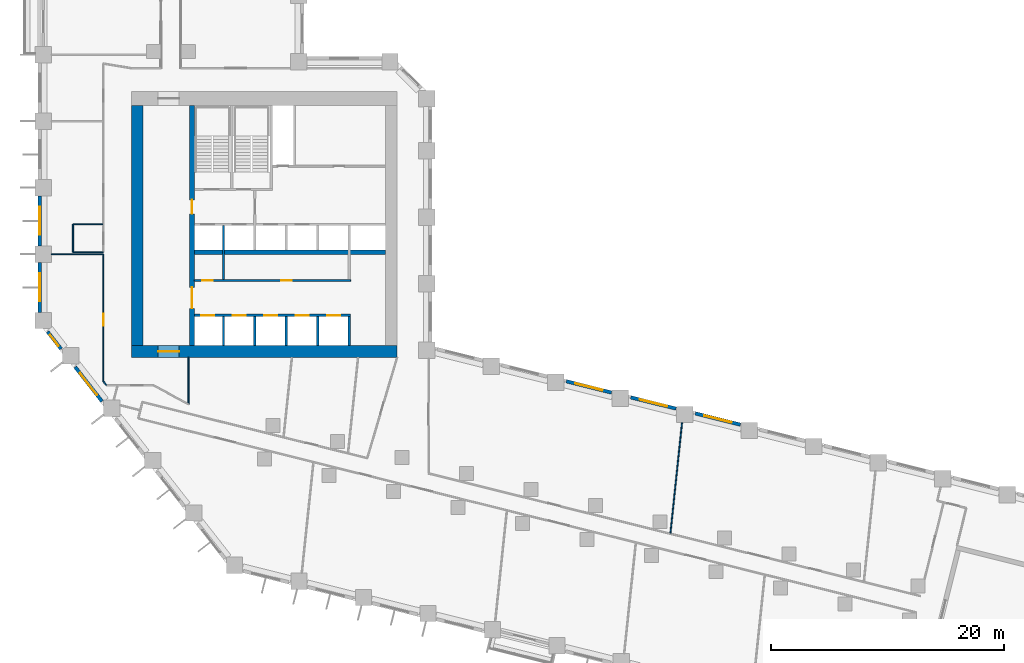
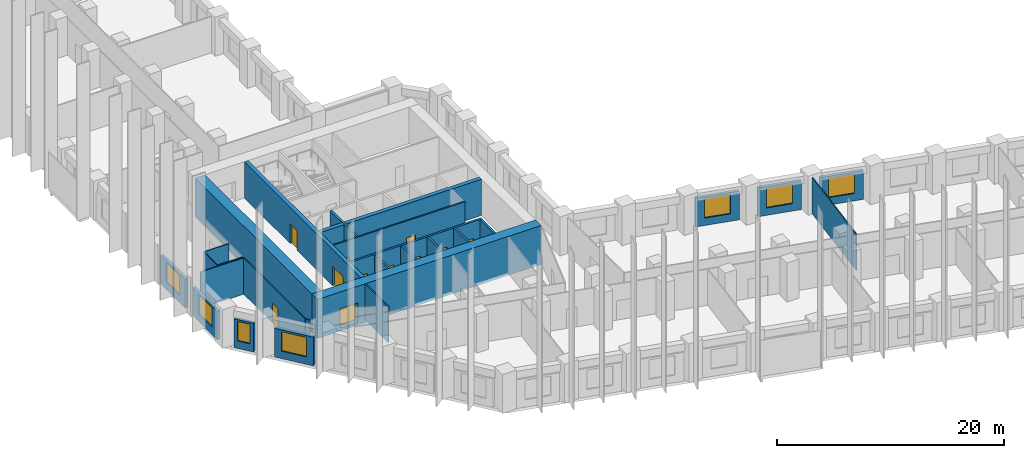
# One storey, part 4 of 11: 27 walls, 11 doors, 7 windows, 18 openings.
"""IFC4 building model written with IfcOpenShell, lengths in metres."""

import ifcopenshell
import ifcopenshell.guid

model = None  # the IFC model being written
_history = None  # IfcOwnerHistory: only IFC2X3 demands one
_inside = {}  # id of a spatial element -> (the spatial element, [elements in it])
_under = {}  # id of a project, library or spatial element -> (it, [spatial elements below it])
_declared = {}  # id of a project -> (the project, [libraries it declares])
_typed = {}  # id of a type object -> (the type object, [elements of that type])
_made_of = {}  # id of a material, layer set ... -> (it, [elements and type objects made of it])


def new_model(schema):
    """Start an empty IFC model of exactly this schema.

    Asked for "IFC4X3", IfcOpenShell would pick the latest addendum, in which some entities
    have other attributes; the version numbers below select the first issue.
    IFC2X3 requires an IfcOwnerHistory on every rooted entity: one is made here for all.
    """
    global model, _history
    if schema == "IFC4X3":
        model = ifcopenshell.file(schema_version=(4, 3, 0, 0))
    else:
        model = ifcopenshell.file(schema=schema)
    _inside.clear()
    _under.clear()
    _declared.clear()
    _typed.clear()
    _made_of.clear()
    _history = None
    if model.schema == "IFC2X3":
        org = make("IfcOrganization", Name="unknown")
        user = make(
            "IfcPersonAndOrganization",
            ThePerson=make("IfcPerson", FamilyName="unknown"),
            TheOrganization=org,
        )
        app = make(
            "IfcApplication",
            ApplicationDeveloper=org,
            Version="unknown",
            ApplicationFullName="unknown",
            ApplicationIdentifier="unknown",
        )
        _history = make(
            "IfcOwnerHistory",
            OwningUser=user,
            OwningApplication=app,
            ChangeAction="ADDED",
            CreationDate=0,
        )
    return model


def make(cls, **values):
    """One entity of the class cls with the attributes given. An attribute that is None is left unset."""
    return model.create_entity(
        cls, **{name: value for name, value in values.items() if value is not None}
    )


def rooted(cls, **values):
    """An entity with a GlobalId (a new one), such as an element, a storey or a relation."""
    return make(cls, GlobalId=ifcopenshell.guid.new(), OwnerHistory=_history, **values)


def si_unit(unit_type, name, prefix=None):
    """IfcSIUnit, for example si_unit("LENGTHUNIT", "METRE", prefix="MILLI")."""
    return make("IfcSIUnit", UnitType=unit_type, Prefix=prefix, Name=name)


def assignment(units):
    """IfcUnitAssignment: the units of a project."""
    return None if units is None else make("IfcUnitAssignment", Units=units)


def point(xyz):
    """IfcCartesianPoint."""
    return None if xyz is None else make("IfcCartesianPoint", Coordinates=xyz)


def direction(xyz):
    """IfcDirection."""
    return None if xyz is None else make("IfcDirection", DirectionRatios=xyz)


def frame(location, z_axis=None, x_axis=None):
    """IfcAxis2Placement3D, a coordinate frame: its origin and axes. An axis left out is left unset."""
    return make(
        "IfcAxis2Placement3D",
        Location=point(location),
        Axis=direction(z_axis),
        RefDirection=direction(x_axis),
    )


def frame_2d(location, x_axis=None):
    """IfcAxis2Placement2D, a coordinate frame in the plane: its origin and x axis."""
    return make(
        "IfcAxis2Placement2D", Location=point(location), RefDirection=direction(x_axis)
    )


def origin():
    """The frame at (0, 0, 0) with its axes left unset."""
    return frame((0.0, 0.0, 0.0))


def place(relative_to, where):
    """IfcLocalPlacement: puts the frame where relative to a parent placement (None: the world)."""
    return make(
        "IfcLocalPlacement", PlacementRelTo=relative_to, RelativePlacement=where
    )


def context(
    kind, dimensions, precision=None, world=None, true_north=None, identifier=None
):
    """IfcGeometricRepresentationContext, for example the 3D "Model" context."""
    return make(
        "IfcGeometricRepresentationContext",
        ContextIdentifier=identifier,
        ContextType=kind,
        CoordinateSpaceDimension=dimensions,
        Precision=precision,
        WorldCoordinateSystem=world,
        TrueNorth=true_north,
    )


def subcontext(parent, identifier, kind, view, scale=None):
    """IfcGeometricRepresentationSubContext, for example "Body" below "Model"."""
    return make(
        "IfcGeometricRepresentationSubContext",
        ContextIdentifier=identifier,
        ContextType=kind,
        ParentContext=parent,
        TargetScale=scale,
        TargetView=view,
    )


def project(units=None, contexts=None):
    """IfcProject with its units and contexts."""
    return rooted(
        "IfcProject",
        Name="project",
        RepresentationContexts=contexts,
        UnitsInContext=assignment(units),
    )


def spatial(cls, under=None, at=None, **own):
    """A site, building, storey or space (cls), placed at a placement, below another one or the project."""
    s = rooted(cls, ObjectPlacement=at, **own)
    if under is not None:
        _under.setdefault(under.id(), (under, []))[1].append(s)
    return s


def profile(cls, at=None, kind="AREA", **sizes):
    """A parametric profile (cls). Its sizes go by their IFC names, for example OverallWidth=200.0."""
    return make(cls, ProfileType=kind, Position=at, **sizes)


def rectangle(**sizes):
    """IfcRectangleProfileDef."""
    return profile("IfcRectangleProfileDef", **sizes)


def extrude(swept, where, along, depth):
    """IfcExtrudedAreaSolid: the profile swept, set in the frame where, extruded along a direction by depth."""
    return make(
        "IfcExtrudedAreaSolid",
        SweptArea=swept,
        Position=where,
        ExtrudedDirection=direction(along),
        Depth=depth,
    )


def shape(context_of_items, identifier, shape_type, items):
    """IfcShapeRepresentation: the items that make up one representation, for example the "Body"."""
    return make(
        "IfcShapeRepresentation",
        ContextOfItems=context_of_items,
        RepresentationIdentifier=identifier,
        RepresentationType=shape_type,
        Items=items,
    )


def material(Name=None, Category=None):
    """IfcMaterial."""
    return make("IfcMaterial", Name=Name, Category=Category)


def layer(
    of_material, thickness, ventilated=None, Name=None, Category=None, Priority=None
):
    """IfcMaterialLayer: one layer of a wall or slab, of a material (None: an air gap)."""
    return make(
        "IfcMaterialLayer",
        Material=of_material,
        LayerThickness=thickness,
        IsVentilated=ventilated,
        Name=Name,
        Category=Category,
        Priority=Priority,
    )


def layer_set(layers, Name=None):
    """IfcMaterialLayerSet."""
    return make("IfcMaterialLayerSet", MaterialLayers=layers, LayerSetName=Name)


def made_of(thing, what):
    """Note that an element or type object is made of a material, layer set ...; save() writes the relation."""
    if what is not None:
        _made_of.setdefault(what.id(), (what, []))[1].append(thing)
    return thing


def type_object(cls, material=None, **own):
    """A type object (cls), such as IfcWallType, which elements share."""
    return made_of(rooted(cls, **own), material)


def element(
    cls,
    number,
    at=None,
    inside=None,
    cuts=None,
    type_object=None,
    material=None,
    context=None,
    identifier="Body",
    shape_type=None,
    held_by="IfcProductDefinitionShape",
    body=None,
    shapes=None,
    **own,
):
    """One element of the class cls, such as IfcWall. Its Tag is "e" and its number.

    at: its placement. inside: the storey or other place that contains it. cuts: it is an
    opening in that element (IfcRelVoidsElement). A single representation is given by context,
    identifier, shape_type and body (its items); several are given by shapes. held_by: the class
    of the entity that holds the representations. save() writes the other relations.
    """
    e = rooted(cls, Tag="e%d" % number, ObjectPlacement=at, **own)
    if body is not None:
        shapes = [shape(context, identifier, shape_type, body)]
    if shapes is not None:
        e.Representation = make(held_by, Representations=shapes)
    if inside is not None:
        _inside.setdefault(inside.id(), (inside, []))[1].append(e)
    if cuts is not None:
        rooted(
            "IfcRelVoidsElement", RelatingBuildingElement=cuts, RelatedOpeningElement=e
        )
    if type_object is not None:
        _typed.setdefault(type_object.id(), (type_object, []))[1].append(e)
    return made_of(e, material)


def fill(opening, filler):
    """IfcRelFillsElement: the door or window that sits in an opening."""
    return rooted(
        "IfcRelFillsElement",
        RelatingOpeningElement=opening,
        RelatedBuildingElement=filler,
    )


def aggregate(whole, parts):
    """IfcRelAggregates: a whole, such as a stair, and the parts it consists of."""
    return rooted("IfcRelAggregates", RelatingObject=whole, RelatedObjects=parts)


def save(model, path):
    """Write the relations noted so far, then the file.

    IfcRelAggregates (storeys below a building ...), IfcRelContainedInSpatialStructure (elements
    in a storey), IfcRelDefinesByType, IfcRelAssociatesMaterial and IfcRelDeclares: one each for
    every whole, place, type object, material and project.
    """
    for whole, parts in _under.values():
        aggregate(whole, parts)
    for where, things in _inside.values():
        rooted(
            "IfcRelContainedInSpatialStructure",
            RelatedElements=things,
            RelatingStructure=where,
        )
    for kind, things in _typed.values():
        rooted("IfcRelDefinesByType", RelatedObjects=things, RelatingType=kind)
    for what, things in _made_of.values():
        rooted("IfcRelAssociatesMaterial", RelatedObjects=things, RelatingMaterial=what)
    for by, libraries in _declared.values():
        rooted("IfcRelDeclares", RelatingContext=by, RelatedDefinitions=libraries)
    model.write(path)


model = new_model("IFC4")

# Units and contexts
model_context = context("Model", 3, precision=1e-05, world=origin(), true_north=direction((0.0, 1.0)))
body_context = subcontext(model_context, "Body", "Model", "MODEL_VIEW")
ifc_project = project(units=[si_unit("LENGTHUNIT", "METRE"), si_unit("AREAUNIT", "SQUARE_METRE"), si_unit("VOLUMEUNIT", "CUBIC_METRE"), si_unit("PLANEANGLEUNIT", "RADIAN"), si_unit("MASSUNIT", "GRAM", prefix="KILO")], contexts=[model_context])

# Site, building, storey
site_placement = place(None, origin())
site = spatial("IfcSite", under=ifc_project, at=site_placement, CompositionType="ELEMENT")
building_placement = place(site_placement, origin())
building = spatial("IfcBuilding", under=site, at=building_placement, Name="Meshkara Civic Tower", CompositionType="ELEMENT")
storey_placement = place(building_placement, frame((0.0, 0.0, 49.800048828125)))
storey = spatial("IfcBuildingStorey", under=building, at=storey_placement, Name="L10", CompositionType="ELEMENT", Elevation=49.800048828125)

# Wall, openings, doors
ifc_material_1 = material(Name="Blockwork", Category="masonry")
ifc_layer_1 = layer(ifc_material_1, 0.14990234375)
ifc_layer_set_1 = layer_set([ifc_layer_1], Name="Core partition 150")
wall_type_1 = type_object("IfcWallType", Name="Core partition 150", PredefinedType="PARTITIONING", material=ifc_layer_set_1)
wall_1_placement = place(storey_placement, frame((13.39990234375, 20.699951171875, 0.0), z_axis=(0.0, 0.0, 1.0), x_axis=(1.0, 0.0, 0.0)))
wall_1 = element("IfcWall", 1, at=wall_1_placement, inside=storey, type_object=wall_type_1, Name="L10-C006", PredefinedType="PARTITIONING", context=body_context, shape_type="SweptSolid", body=[
    extrude(rectangle(XDim=13.400146484375, YDim=0.14990234375, at=frame_2d((6.7001953125, 0.0))), origin(), (0.0, 0.0, 1.0), 3.89990234375),
])
opening_1_placement = place(wall_1_placement, frame((0.699951171875, 0.0, 0.0)))
opening_1 = element("IfcOpeningElement", 2, at=opening_1_placement, cuts=wall_1, Name="Opening L10-K010", PredefinedType="OPENING", context=body_context, shape_type="SweptSolid", body=[
    extrude(rectangle(XDim=0.89990234375, YDim=2.10009765625, at=frame_2d((0.449951171875, 1.050048828125))), frame((0.0, 0.0849609375, 0.0), z_axis=(0.0, -1.0, 0.0), x_axis=(1.0, 0.0, 0.0)), (0.0, 0.0, 1.0), 0.169921875),
])
opening_2_placement = place(wall_1_placement, frame((7.449951171875, 0.0, 0.0)))
opening_2 = element("IfcOpeningElement", 3, at=opening_2_placement, cuts=wall_1, Name="Opening L10-K011", PredefinedType="OPENING", context=body_context, shape_type="SweptSolid", body=[
    extrude(rectangle(XDim=0.89990234375, YDim=2.10009765625, at=frame_2d((0.449951171875, 1.050048828125))), frame((0.0, 0.0849609375, 0.0), z_axis=(0.0, -1.0, 0.0), x_axis=(1.0, 0.0, 0.0)), (0.0, 0.0, 1.0), 0.169921875),
])
ifc_material_2 = material(Name="Timber door leaf in steel frame", Category="steel")
door_type_1 = type_object("IfcDoorType", Name="Core room door 900", OperationType="SINGLE_SWING_LEFT", PredefinedType="DOOR", material=ifc_material_2)
door_1_placement = place(opening_1_placement, origin())
door_1 = element("IfcDoor", 4, at=door_1_placement, inside=storey, type_object=door_type_1, Name="L10-K010", OperationType="SINGLE_SWING_RIGHT", OverallHeight=2.10009765625, OverallWidth=0.89990234375, PredefinedType="DOOR", context=body_context, shape_type="SweptSolid", body=[
    extrude(rectangle(XDim=0.89990234375, YDim=2.10009765625, at=frame_2d((0.449951171875, 1.050048828125))), frame((0.0, 0.02490234375, 0.0), z_axis=(0.0, -1.0, 0.0), x_axis=(1.0, 0.0, 0.0)), (0.0, 0.0, 1.0), 0.050048828125),
])
fill(opening_1, door_1)
door_2_placement = place(opening_2_placement, origin())
door_2 = element("IfcDoor", 5, at=door_2_placement, inside=storey, type_object=door_type_1, Name="L10-K011", OperationType="SINGLE_SWING_LEFT", OverallHeight=2.10009765625, OverallWidth=0.89990234375, PredefinedType="DOOR", context=body_context, shape_type="SweptSolid", body=[
    extrude(rectangle(XDim=0.89990234375, YDim=2.10009765625, at=frame_2d((0.449951171875, 1.050048828125))), frame((0.0, 0.02490234375, 0.0), z_axis=(0.0, -1.0, 0.0), x_axis=(1.0, 0.0, 0.0)), (0.0, 0.0, 1.0), 0.050048828125),
])
fill(opening_2, door_2)

# Wall, opening, door
ifc_material_3 = material(Name="Concrete C80", Category="concrete")
ifc_layer_2 = layer(ifc_material_3, 1.0)
ifc_layer_set_2 = layer_set([ifc_layer_2], Name="Core ring wall 1000 C80")
wall_type_2 = type_object("IfcWallType", Name="Core ring wall 1000 C80", PredefinedType="SHEAR", material=ifc_layer_set_2)
wall_2_placement = place(storey_placement, frame((8.0, 14.60009765625, -0.300048828125), z_axis=(0.0, 0.0, 1.0), x_axis=(1.0, 0.0, 0.0)))
wall_2 = element("IfcWall", 6, at=wall_2_placement, inside=storey, type_object=wall_type_2, Name="L10-C001", PredefinedType="SHEAR", context=body_context, shape_type="SweptSolid", body=[
    extrude(rectangle(XDim=22.800048828125, YDim=1.0, at=frame_2d((11.39990234375, 0.0))), origin(), (0.0, 0.0, 1.0), 4.199951171875),
])
opening_3_placement = place(wall_2_placement, frame((2.300048828125, 0.0, 0.300048828125)))
opening_3 = element("IfcOpeningElement", 7, at=opening_3_placement, cuts=wall_2, Name="Opening L10-K020", PredefinedType="OPENING", context=body_context, shape_type="SweptSolid", body=[
    extrude(rectangle(XDim=1.800048828125, YDim=2.10009765625, at=frame_2d((0.89990234375, 1.050048828125))), frame((0.0, 0.510009765625, 0.0), z_axis=(0.0, -1.0, 0.0), x_axis=(1.0, 0.0, 0.0)), (0.0, 0.0, 1.0), 1.02001953125),
])
ifc_material_4 = material(Name="Fire-rated door leaf in steel frame", Category="steel")
door_type_2 = type_object("IfcDoorType", Name="Core double door 1800 EI 60", OperationType="DOUBLE_DOOR_SINGLE_SWING", PredefinedType="DOOR", material=ifc_material_4)
door_3_placement = place(opening_3_placement, origin())
door_3 = element("IfcDoor", 8, at=door_3_placement, inside=storey, type_object=door_type_2, Name="L10-K020", OperationType="DOUBLE_DOOR_SINGLE_SWING", OverallHeight=2.10009765625, OverallWidth=1.800048828125, PredefinedType="DOOR", context=body_context, shape_type="SweptSolid", body=[
    extrude(rectangle(XDim=1.800048828125, YDim=2.10009765625, at=frame_2d((0.89990234375, 1.050048828125))), frame((0.0, 0.02490234375, 0.0), z_axis=(0.0, -1.0, 0.0), x_axis=(1.0, 0.0, 0.0)), (0.0, 0.0, 1.0), 0.050048828125),
])
fill(opening_3, door_3)

# Walls
wall_3_placement = place(storey_placement, frame((8.5, 15.10009765625, -0.300048828125), z_axis=(0.0, 0.0, 1.0), x_axis=(0.0, 1.0, 0.0)))
element("IfcWall", 9, at=wall_3_placement, inside=storey, type_object=wall_type_2, Name="L10-C003", PredefinedType="SHEAR", context=body_context, shape_type="SweptSolid", body=[
    extrude(rectangle(XDim=20.599853515625, YDim=1.0, at=frame_2d((10.2998046875, 0.0))), origin(), (0.0, 0.0, 1.0), 4.199951171875),
])
ifc_material_5 = material(Name="Concrete C80", Category="concrete")
ifc_layer_3 = layer(ifc_material_5, 0.39990234375)
ifc_layer_set_3 = layer_set([ifc_layer_3], Name="Core shear wall 400 C80")
wall_type_3 = type_object("IfcWallType", Name="Core shear wall 400 C80", PredefinedType="SHEAR", material=ifc_layer_set_3)
wall_4_placement = place(storey_placement, frame((13.39990234375, 23.10009765625, 0.0), z_axis=(0.0, 0.0, 1.0), x_axis=(1.0, 0.0, 0.0)))
element("IfcWall", 10, at=wall_4_placement, inside=storey, type_object=wall_type_3, Name="L10-C007", PredefinedType="SHEAR", context=body_context, shape_type="SweptSolid", body=[
    extrude(rectangle(XDim=16.400146484375, YDim=0.39990234375, at=frame_2d((8.2001953125, 0.0))), origin(), (0.0, 0.0, 1.0), 3.89990234375),
])

# Wall, openings, doors
wall_5_placement = place(storey_placement, frame((13.199951171875, 15.10009765625, 0.0), z_axis=(0.0, 0.0, 1.0), x_axis=(0.0, 1.0, 0.0)))
wall_5 = element("IfcWall", 11, at=wall_5_placement, inside=storey, type_object=wall_type_3, Name="L10-C011", PredefinedType="SHEAR", context=body_context, shape_type="SweptSolid", body=[
    extrude(rectangle(XDim=20.599853515625, YDim=0.39990234375, at=frame_2d((10.2998046875, 0.0))), origin(), (0.0, 0.0, 1.0), 3.89990234375),
])
opening_4_placement = place(wall_5_placement, frame((3.199951171875, 0.0, 0.0)))
opening_4 = element("IfcOpeningElement", 12, at=opening_4_placement, cuts=wall_5, Name="Opening L10-K016", PredefinedType="OPENING", context=body_context, shape_type="SweptSolid", body=[
    extrude(rectangle(XDim=1.800048828125, YDim=2.10009765625, at=frame_2d((0.89990234375, 1.050048828125))), frame((0.0, 0.2099609375, 0.0), z_axis=(0.0, -1.0, 0.0), x_axis=(1.0, 0.0, 0.0)), (0.0, 0.0, 1.0), 0.419921875),
])
opening_5_placement = place(wall_5_placement, frame((11.300048828125, 0.0, 0.0)))
opening_5 = element("IfcOpeningElement", 13, at=opening_5_placement, cuts=wall_5, Name="Opening L10-K017", PredefinedType="OPENING", context=body_context, shape_type="SweptSolid", body=[
    extrude(rectangle(XDim=1.199951171875, YDim=2.10009765625, at=frame_2d((0.60009765625, 1.050048828125))), frame((0.0, 0.2099609375, 0.0), z_axis=(0.0, -1.0, 0.0), x_axis=(1.0, 0.0, 0.0)), (0.0, 0.0, 1.0), 0.419921875),
])
door_4_placement = place(opening_4_placement, origin())
door_4 = element("IfcDoor", 14, at=door_4_placement, inside=storey, type_object=door_type_2, Name="L10-K016", OperationType="DOUBLE_DOOR_SINGLE_SWING", OverallHeight=2.10009765625, OverallWidth=1.800048828125, PredefinedType="DOOR", context=body_context, shape_type="SweptSolid", body=[
    extrude(rectangle(XDim=1.800048828125, YDim=2.10009765625, at=frame_2d((0.89990234375, 1.050048828125))), frame((0.0, 0.02490234375, 0.0), z_axis=(0.0, -1.0, 0.0), x_axis=(1.0, 0.0, 0.0)), (0.0, 0.0, 1.0), 0.050048828125),
])
fill(opening_4, door_4)
ifc_material_6 = material(Name="Fire-rated door leaf in steel frame", Category="steel")
door_type_3 = type_object("IfcDoorType", Name="Fire-fighting lobby door 1200 EI 120", OperationType="SINGLE_SWING_LEFT", PredefinedType="DOOR", material=ifc_material_6)
door_5_placement = place(opening_5_placement, origin())
door_5 = element("IfcDoor", 15, at=door_5_placement, inside=storey, type_object=door_type_3, Name="L10-K017", OperationType="SINGLE_SWING_LEFT", OverallHeight=2.10009765625, OverallWidth=1.199951171875, PredefinedType="DOOR", context=body_context, shape_type="SweptSolid", body=[
    extrude(rectangle(XDim=1.199951171875, YDim=2.10009765625, at=frame_2d((0.60009765625, 1.050048828125))), frame((0.0, 0.02490234375, 0.0), z_axis=(0.0, -1.0, 0.0), x_axis=(1.0, 0.0, 0.0)), (0.0, 0.0, 1.0), 0.050048828125),
])
fill(opening_5, door_5)

# Wall
ifc_material_7 = material(Name="Corridor wall 100")
ifc_layer_4 = layer(ifc_material_7, 0.10009765625)
ifc_layer_set_4 = layer_set([ifc_layer_4], Name="Corridor wall 100")
wall_type_4 = type_object("IfcWallType", Name="Corridor wall 100", PredefinedType="PARTITIONING", material=ifc_layer_set_4)
wall_6_placement = place(storey_placement, frame((5.60009765625, 12.04296875, 0.0), z_axis=(0.0, 0.0, 1.0), x_axis=(0.615415398102, -0.788202948344, 0.0)))
element("IfcWall", 16, at=wall_6_placement, inside=storey, type_object=wall_type_4, Name="L10-W003", PredefinedType="PARTITIONING", context=body_context, shape_type="SweptSolid", body=[
    extrude(rectangle(XDim=0.435302734375, YDim=0.10009765625, at=frame_2d((0.2177734375, 0.0))), origin(), (0.0, 0.0, 1.0), 3.89990234375),
])

# Wall, opening, door
wall_7_placement = place(storey_placement, frame((5.60009765625, 22.955078125, 0.0), z_axis=(0.0, 0.0, 1.0), x_axis=(0.0, -1.0, 0.0)))
wall_7 = element("IfcWall", 17, at=wall_7_placement, inside=storey, type_object=wall_type_4, Name="L10-W004", PredefinedType="PARTITIONING", context=body_context, shape_type="SweptSolid", body=[
    extrude(rectangle(XDim=10.912109375, YDim=0.10009765625, at=frame_2d((5.4560546875, 0.0))), origin(), (0.0, 0.0, 1.0), 3.89990234375),
])
opening_6_placement = place(wall_7_placement, frame((5.132080078125, 0.0, 0.0)))
opening_6 = element("IfcOpeningElement", 18, at=opening_6_placement, cuts=wall_7, Name="Opening L10-D017", PredefinedType="OPENING", context=body_context, shape_type="SweptSolid", body=[
    extrude(rectangle(XDim=1.0, YDim=2.10009765625, at=frame_2d((0.5, 1.050048828125))), frame((0.0, 0.06005859375, 0.0), z_axis=(0.0, -1.0, 0.0), x_axis=(1.0, 0.0, 0.0)), (0.0, 0.0, 1.0), 0.1201171875),
])
ifc_material_8 = material(Name="Door 1000 x 2100")
door_type_4 = type_object("IfcDoorType", Name="Door 1000 x 2100", OperationType="SINGLE_SWING_LEFT", PredefinedType="DOOR", material=ifc_material_8)
door_6_placement = place(opening_6_placement, origin())
door_6 = element("IfcDoor", 19, at=door_6_placement, inside=storey, type_object=door_type_4, Name="L10-D017", OperationType="SINGLE_SWING_LEFT", OverallHeight=2.10009765625, OverallWidth=1.0, PredefinedType="DOOR", context=body_context, shape_type="SweptSolid", body=[
    extrude(rectangle(XDim=1.0, YDim=2.10009765625, at=frame_2d((0.5, 1.050048828125))), frame((0.0, 0.02490234375, 0.0), z_axis=(0.0, -1.0, 0.0), x_axis=(1.0, 0.0, 0.0)), (0.0, 0.0, 1.0), 0.050048828125),
])
fill(opening_6, door_6)

# Wall
wall_8_placement = place(storey_placement, frame((12.89990234375, 10.077880859375, 0.0), z_axis=(0.0, 0.0, 1.0), x_axis=(0.0, 1.0, 0.0)))
element("IfcWall", 20, at=wall_8_placement, inside=storey, type_object=wall_type_4, Name="L10-W016", PredefinedType="PARTITIONING", context=body_context, shape_type="SweptSolid", body=[
    extrude(rectangle(XDim=4.022216796875, YDim=0.10009765625, at=frame_2d((2.01123046875, 0.0))), origin(), (0.0, 0.0, 1.0), 3.89990234375),
])

# Wall, opening, window
ifc_material_9 = material(Name="Insulated infill panel with bronze anodised aluminium cladding", Category="aluminium")
ifc_layer_5 = layer(ifc_material_9, 0.300048828125)
ifc_layer_set_5 = layer_set([ifc_layer_5], Name="EXTERNAL INFILL WALL 300")
wall_type_5 = type_object("IfcWallType", Name="EXTERNAL INFILL WALL 300", PredefinedType="SOLIDWALL", material=ifc_layer_set_5)
wall_9_placement = place(storey_placement, frame((60.251953125, 8.321044921875, 0.0), z_axis=(0.0, 0.0, 1.0), x_axis=(-0.970303772127, 0.241889623168, 0.0)))
wall_9 = element("IfcWall", 21, at=wall_9_placement, inside=storey, type_object=wall_type_5, Name="External wall", PredefinedType="SOLIDWALL", context=body_context, shape_type="SweptSolid", body=[
    extrude(rectangle(XDim=4.001953125, YDim=0.300048828125, at=frame_2d((2.0009765625, 0.0))), origin(), (0.0, 0.0, 1.0), 3.099853515625),
])
opening_7_placement = place(wall_9_placement, frame((0.801025390625, 0.0, 0.800048828125)))
opening_7 = element("IfcOpeningElement", 22, at=opening_7_placement, cuts=wall_9, Name="Opening W7", PredefinedType="OPENING", context=body_context, shape_type="SweptSolid", body=[
    extrude(rectangle(XDim=2.39990234375, YDim=2.10009765625, at=frame_2d((1.199951171875, 1.050048828125))), frame((0.0, 0.159912109375, 0.0), z_axis=(0.0, -1.0, 0.0), x_axis=(1.0, 0.0, 0.0)), (0.0, 0.0, 1.0), 0.320068359375),
])
ifc_material_10 = material(Name="Tinted double glazing", Category="glass")
window_type_1 = type_object("IfcWindowType", Name="WINDOW 2400x2100", PartitioningType="DOUBLE_PANEL_VERTICAL", PredefinedType="WINDOW", material=ifc_material_10)
window_1_placement = place(opening_7_placement, origin())
window_1 = element("IfcWindow", 23, at=window_1_placement, inside=storey, type_object=window_type_1, Name="Window", OverallHeight=2.10009765625, OverallWidth=2.39990234375, PartitioningType="DOUBLE_PANEL_VERTICAL", PredefinedType="WINDOW", context=body_context, shape_type="SweptSolid", body=[
    extrude(rectangle(XDim=2.39990234375, YDim=2.10009765625, at=frame_2d((1.199951171875, 1.050048828125))), frame((0.0, 0.030029296875, 0.0), z_axis=(0.0, -1.0, 0.0), x_axis=(1.0, 0.0, 0.0)), (0.0, 0.0, 1.0), 0.06005859375),
])
fill(opening_7, window_1)

wall_10_placement = place(storey_placement, frame((54.721923828125, 9.699951171875, 0.0), z_axis=(0.0, 0.0, 1.0), x_axis=(-0.970318045095, 0.24183236211, 0.0)))
wall_10 = element("IfcWall", 24, at=wall_10_placement, inside=storey, type_object=wall_type_5, Name="External wall", PredefinedType="SOLIDWALL", context=body_context, shape_type="SweptSolid", body=[
    extrude(rectangle(XDim=4.0029296875, YDim=0.300048828125, at=frame_2d((2.00146484375, 0.0))), origin(), (0.0, 0.0, 1.0), 3.099853515625),
])
opening_8_placement = place(wall_10_placement, frame((0.802001953125, 0.0, 0.800048828125)))
opening_8 = element("IfcOpeningElement", 25, at=opening_8_placement, cuts=wall_10, Name="Opening W7", PredefinedType="OPENING", context=body_context, shape_type="SweptSolid", body=[
    extrude(rectangle(XDim=2.39990234375, YDim=2.10009765625, at=frame_2d((1.199951171875, 1.050048828125))), frame((0.0, 0.159912109375, 0.0), z_axis=(0.0, -1.0, 0.0), x_axis=(1.0, 0.0, 0.0)), (0.0, 0.0, 1.0), 0.320068359375),
])
window_2_placement = place(opening_8_placement, origin())
window_2 = element("IfcWindow", 26, at=window_2_placement, inside=storey, type_object=window_type_1, Name="Window", OverallHeight=2.10009765625, OverallWidth=2.39990234375, PartitioningType="DOUBLE_PANEL_VERTICAL", PredefinedType="WINDOW", context=body_context, shape_type="SweptSolid", body=[
    extrude(rectangle(XDim=2.39990234375, YDim=2.10009765625, at=frame_2d((1.199951171875, 1.050048828125))), frame((0.0, 0.030029296875, 0.0), z_axis=(0.0, -1.0, 0.0), x_axis=(1.0, 0.0, 0.0)), (0.0, 0.0, 1.0), 0.06005859375),
])
fill(opening_8, window_2)

wall_11_placement = place(storey_placement, frame((49.19091796875, 11.0791015625, 0.0), z_axis=(0.0, 0.0, 1.0), x_axis=(-0.970318045095, 0.24183236211, 0.0)))
wall_11 = element("IfcWall", 27, at=wall_11_placement, inside=storey, type_object=wall_type_5, Name="External wall", PredefinedType="SOLIDWALL", context=body_context, shape_type="SweptSolid", body=[
    extrude(rectangle(XDim=4.0029296875, YDim=0.300048828125, at=frame_2d((2.00146484375, 0.0))), origin(), (0.0, 0.0, 1.0), 3.099853515625),
])
opening_9_placement = place(wall_11_placement, frame((0.802001953125, 0.0, 0.800048828125)))
opening_9 = element("IfcOpeningElement", 28, at=opening_9_placement, cuts=wall_11, Name="Opening W7", PredefinedType="OPENING", context=body_context, shape_type="SweptSolid", body=[
    extrude(rectangle(XDim=2.39990234375, YDim=2.10009765625, at=frame_2d((1.199951171875, 1.050048828125))), frame((0.0, 0.159912109375, 0.0), z_axis=(0.0, -1.0, 0.0), x_axis=(1.0, 0.0, 0.0)), (0.0, 0.0, 1.0), 0.320068359375),
])
window_3_placement = place(opening_9_placement, origin())
window_3 = element("IfcWindow", 29, at=window_3_placement, inside=storey, type_object=window_type_1, Name="Window", OverallHeight=2.10009765625, OverallWidth=2.39990234375, PartitioningType="DOUBLE_PANEL_VERTICAL", PredefinedType="WINDOW", context=body_context, shape_type="SweptSolid", body=[
    extrude(rectangle(XDim=2.39990234375, YDim=2.10009765625, at=frame_2d((1.199951171875, 1.050048828125))), frame((0.0, 0.030029296875, 0.0), z_axis=(0.0, -1.0, 0.0), x_axis=(1.0, 0.0, 0.0)), (0.0, 0.0, 1.0), 0.06005859375),
])
fill(opening_9, window_3)

wall_12_placement = place(storey_placement, frame((0.14990234375, 27.955078125, 0.0), z_axis=(0.0, 0.0, 1.0), x_axis=(0.0, -1.0, 0.0)))
wall_12 = element("IfcWall", 30, at=wall_12_placement, inside=storey, type_object=wall_type_5, Name="External wall", PredefinedType="SOLIDWALL", context=body_context, shape_type="SweptSolid", body=[
    extrude(rectangle(XDim=4.300048828125, YDim=0.300048828125, at=frame_2d((2.14990234375, 0.0))), origin(), (0.0, 0.0, 1.0), 3.099853515625),
])
opening_10_placement = place(wall_12_placement, frame((0.949951171875, 0.0, 0.800048828125)))
opening_10 = element("IfcOpeningElement", 31, at=opening_10_placement, cuts=wall_12, Name="Opening W7", PredefinedType="OPENING", context=body_context, shape_type="SweptSolid", body=[
    extrude(rectangle(XDim=2.39990234375, YDim=2.10009765625, at=frame_2d((1.199951171875, 1.050048828125))), frame((0.0, 0.159912109375, 0.0), z_axis=(0.0, -1.0, 0.0), x_axis=(1.0, 0.0, 0.0)), (0.0, 0.0, 1.0), 0.320068359375),
])
window_4_placement = place(opening_10_placement, origin())
window_4 = element("IfcWindow", 32, at=window_4_placement, inside=storey, type_object=window_type_1, Name="Window", OverallHeight=2.10009765625, OverallWidth=2.39990234375, PartitioningType="DOUBLE_PANEL_VERTICAL", PredefinedType="WINDOW", context=body_context, shape_type="SweptSolid", body=[
    extrude(rectangle(XDim=2.39990234375, YDim=2.10009765625, at=frame_2d((1.199951171875, 1.050048828125))), frame((0.0, 0.030029296875, 0.0), z_axis=(0.0, -1.0, 0.0), x_axis=(1.0, 0.0, 0.0)), (0.0, 0.0, 1.0), 0.06005859375),
])
fill(opening_10, window_4)

wall_13_placement = place(storey_placement, frame((0.14990234375, 22.2548828125, 0.0), z_axis=(0.0, 0.0, 1.0), x_axis=(0.0, -1.0, 0.0)))
wall_13 = element("IfcWall", 33, at=wall_13_placement, inside=storey, type_object=wall_type_5, Name="External wall", PredefinedType="SOLIDWALL", context=body_context, shape_type="SweptSolid", body=[
    extrude(rectangle(XDim=4.2998046875, YDim=0.300048828125, at=frame_2d((2.14990234375, 0.0))), origin(), (0.0, 0.0, 1.0), 3.099853515625),
])
opening_11_placement = place(wall_13_placement, frame((0.949951171875, 0.0, 0.800048828125)))
opening_11 = element("IfcOpeningElement", 34, at=opening_11_placement, cuts=wall_13, Name="Opening W7", PredefinedType="OPENING", context=body_context, shape_type="SweptSolid", body=[
    extrude(rectangle(XDim=2.39990234375, YDim=2.10009765625, at=frame_2d((1.199951171875, 1.050048828125))), frame((0.0, 0.159912109375, 0.0), z_axis=(0.0, -1.0, 0.0), x_axis=(1.0, 0.0, 0.0)), (0.0, 0.0, 1.0), 0.320068359375),
])
window_5_placement = place(opening_11_placement, origin())
window_5 = element("IfcWindow", 35, at=window_5_placement, inside=storey, type_object=window_type_1, Name="Window", OverallHeight=2.10009765625, OverallWidth=2.39990234375, PartitioningType="DOUBLE_PANEL_VERTICAL", PredefinedType="WINDOW", context=body_context, shape_type="SweptSolid", body=[
    extrude(rectangle(XDim=2.39990234375, YDim=2.10009765625, at=frame_2d((1.199951171875, 1.050048828125))), frame((0.0, 0.030029296875, 0.0), z_axis=(0.0, -1.0, 0.0), x_axis=(1.0, 0.0, 0.0)), (0.0, 0.0, 1.0), 0.06005859375),
])
fill(opening_11, window_5)

wall_14_placement = place(storey_placement, frame((0.818115234375, 16.2958984375, 0.0), z_axis=(0.0, 0.0, 1.0), x_axis=(0.615985155343, -0.787757759973, 0.0)))
wall_14 = element("IfcWall", 36, at=wall_14_placement, inside=storey, type_object=wall_type_5, Name="External wall", PredefinedType="SOLIDWALL", context=body_context, shape_type="SweptSolid", body=[
    extrude(rectangle(XDim=1.874755859375, YDim=0.300048828125, at=frame_2d((0.9375, 0.0))), origin(), (0.0, 0.0, 1.0), 3.099853515625),
])
opening_12_placement = place(wall_14_placement, frame((0.3369140625, 0.0, 0.800048828125)))
opening_12 = element("IfcOpeningElement", 37, at=opening_12_placement, cuts=wall_14, Name="Opening W3", PredefinedType="OPENING", context=body_context, shape_type="SweptSolid", body=[
    extrude(rectangle(XDim=1.199951171875, YDim=2.10009765625, at=frame_2d((0.60009765625, 1.050048828125))), frame((0.0, 0.159912109375, 0.0), z_axis=(0.0, -1.0, 0.0), x_axis=(1.0, 0.0, 0.0)), (0.0, 0.0, 1.0), 0.320068359375),
])
ifc_material_11 = material(Name="Tinted double glazing", Category="glass")
window_type_2 = type_object("IfcWindowType", Name="WINDOW 1200x2100", PartitioningType="SINGLE_PANEL", PredefinedType="WINDOW", material=ifc_material_11)
window_6_placement = place(opening_12_placement, origin())
window_6 = element("IfcWindow", 38, at=window_6_placement, inside=storey, type_object=window_type_2, Name="Window", OverallHeight=2.10009765625, OverallWidth=1.199951171875, PartitioningType="SINGLE_PANEL", PredefinedType="WINDOW", context=body_context, shape_type="SweptSolid", body=[
    extrude(rectangle(XDim=1.199951171875, YDim=2.10009765625, at=frame_2d((0.60009765625, 1.050048828125))), frame((0.0, 0.030029296875, 0.0), z_axis=(0.0, -1.0, 0.0), x_axis=(1.0, 0.0, 0.0)), (0.0, 0.0, 1.0), 0.06005859375),
])
fill(opening_12, window_6)

wall_15_placement = place(storey_placement, frame((3.18310546875, 13.27001953125, 0.0), z_axis=(0.0, 0.0, 1.0), x_axis=(0.615564114897, -0.788086810225, 0.0)))
wall_15 = element("IfcWall", 39, at=wall_15_placement, inside=storey, type_object=wall_type_5, Name="External wall", PredefinedType="SOLIDWALL", context=body_context, shape_type="SweptSolid", body=[
    extrude(rectangle(XDim=3.734619140625, YDim=0.300048828125, at=frame_2d((1.8671875, 0.0))), origin(), (0.0, 0.0, 1.0), 3.099853515625),
])
opening_13_placement = place(wall_15_placement, frame((0.6669921875, 0.0, 0.800048828125)))
opening_13 = element("IfcOpeningElement", 40, at=opening_13_placement, cuts=wall_15, Name="Opening W7", PredefinedType="OPENING", context=body_context, shape_type="SweptSolid", body=[
    extrude(rectangle(XDim=2.39990234375, YDim=2.10009765625, at=frame_2d((1.199951171875, 1.050048828125))), frame((0.0, 0.159912109375, 0.0), z_axis=(0.0, -1.0, 0.0), x_axis=(1.0, 0.0, 0.0)), (0.0, 0.0, 1.0), 0.320068359375),
])
window_7_placement = place(opening_13_placement, origin())
window_7 = element("IfcWindow", 41, at=window_7_placement, inside=storey, type_object=window_type_1, Name="Window", OverallHeight=2.10009765625, OverallWidth=2.39990234375, PartitioningType="DOUBLE_PANEL_VERTICAL", PredefinedType="WINDOW", context=body_context, shape_type="SweptSolid", body=[
    extrude(rectangle(XDim=2.39990234375, YDim=2.10009765625, at=frame_2d((1.199951171875, 1.050048828125))), frame((0.0, 0.030029296875, 0.0), z_axis=(0.0, -1.0, 0.0), x_axis=(1.0, 0.0, 0.0)), (0.0, 0.0, 1.0), 0.06005859375),
])
fill(opening_13, window_7)

# Walls
ifc_material_12 = material(Name="Partition 100")
ifc_layer_6 = layer(ifc_material_12, 0.10009765625)
ifc_layer_set_6 = layer_set([ifc_layer_6], Name="Partition 100")
wall_type_6 = type_object("IfcWallType", Name="Partition 100", PredefinedType="PARTITIONING", material=ifc_layer_set_6)
wall_16_placement = place(storey_placement, frame((3.0, 23.10498046875, 0.0), z_axis=(0.0, 0.0, 1.0), x_axis=(0.0, 1.0, 0.0)))
element("IfcWall", 42, at=wall_16_placement, inside=storey, type_object=wall_type_6, Name="L10-W033", PredefinedType="PARTITIONING", context=body_context, shape_type="SweptSolid", body=[
    extrude(rectangle(XDim=2.39990234375, YDim=0.10009765625, at=frame_2d((1.199951171875, 0.0))), origin(), (0.0, 0.0, 1.0), 3.89990234375),
])
wall_17_placement = place(storey_placement, frame((3.0, 25.5048828125, 0.0), z_axis=(0.0, 0.0, 1.0), x_axis=(1.0, 0.0, 0.0)))
element("IfcWall", 43, at=wall_17_placement, inside=storey, type_object=wall_type_6, Name="L10-W034", PredefinedType="PARTITIONING", context=body_context, shape_type="SweptSolid", body=[
    extrude(rectangle(XDim=2.550048828125, YDim=0.10009765625, at=frame_2d((1.27490234375, 0.0))), origin(), (0.0, 0.0, 1.0), 3.89990234375),
])
wall_18_placement = place(storey_placement, frame((5.60009765625, 22.955078125, 0.0), z_axis=(0.0, 0.0, 1.0), x_axis=(-1.0, 0.0, 0.0)))
element("IfcWall", 44, at=wall_18_placement, inside=storey, type_object=wall_type_6, Name="L10-W036", PredefinedType="PARTITIONING", context=body_context, shape_type="SweptSolid", body=[
    extrude(rectangle(XDim=4.4501953125, YDim=0.10009765625, at=frame_2d((2.22509765625, 0.0))), origin(), (0.0, 0.0, 1.0), 3.89990234375),
])
wall_19_placement = place(storey_placement, frame((5.60009765625, 23.10498046875, 0.0), z_axis=(0.0, 0.0, 1.0), x_axis=(-1.0, 0.0, 0.0)))
element("IfcWall", 45, at=wall_19_placement, inside=storey, type_object=wall_type_6, Name="L10-W037", PredefinedType="PARTITIONING", context=body_context, shape_type="SweptSolid", body=[
    extrude(rectangle(XDim=2.60009765625, YDim=0.10009765625, at=frame_2d((1.300048828125, 0.0))), origin(), (0.0, 0.0, 1.0), 3.89990234375),
])
wall_20_placement = place(storey_placement, frame((54.242919921875, -0.971923828125, 0.0), z_axis=(0.0, 0.0, 1.0), x_axis=(0.104452670861, 0.994529858551, 0.0)))
element("IfcWall", 46, at=wall_20_placement, inside=storey, type_object=wall_type_6, Name="L10-W050", PredefinedType="PARTITIONING", context=body_context, shape_type="SweptSolid", body=[
    extrude(rectangle(XDim=9.52685546875, YDim=0.10009765625, at=frame_2d((4.763427734375, 0.0))), origin(), (0.0, 0.0, 1.0), 3.89990234375),
])

# Wall, openings, doors
ifc_material_13 = material(Name="Concrete C40/50", Category="concrete")
ifc_layer_7 = layer(ifc_material_13, 0.199951171875)
ifc_layer_set_7 = layer_set([ifc_layer_7], Name="Shaft wall 200 C40/50")
wall_type_7 = type_object("IfcWallType", Name="Shaft wall 200 C40/50", PredefinedType="SOLIDWALL", material=ifc_layer_set_7)
wall_21_placement = place(storey_placement, frame((13.39990234375, 17.699951171875, 0.0), z_axis=(0.0, 0.0, 1.0), x_axis=(1.0, 0.0, 0.0)))
wall_21 = element("IfcWall", 47, at=wall_21_placement, inside=storey, type_object=wall_type_7, Name="L10-C005", PredefinedType="SOLIDWALL", context=body_context, shape_type="SweptSolid", body=[
    extrude(rectangle(XDim=13.400146484375, YDim=0.199951171875, at=frame_2d((6.7001953125, 0.0))), origin(), (0.0, 0.0, 1.0), 3.89990234375),
])
opening_14_placement = place(wall_21_placement, frame((0.60009765625, 0.0, 0.0)))
opening_14 = element("IfcOpeningElement", 48, at=opening_14_placement, cuts=wall_21, Name="Opening L10-K001", PredefinedType="OPENING", context=body_context, shape_type="SweptSolid", body=[
    extrude(rectangle(XDim=1.10009765625, YDim=2.10009765625, at=frame_2d((0.550048828125, 1.050048828125))), frame((0.0, 0.10986328125, 0.0), z_axis=(0.0, -1.0, 0.0), x_axis=(1.0, 0.0, 0.0)), (0.0, 0.0, 1.0), 0.219970703125),
])
opening_15_placement = place(wall_21_placement, frame((3.300048828125, 0.0, 0.0)))
opening_15 = element("IfcOpeningElement", 49, at=opening_15_placement, cuts=wall_21, Name="Opening L10-K002", PredefinedType="OPENING", context=body_context, shape_type="SweptSolid", body=[
    extrude(rectangle(XDim=1.10009765625, YDim=2.10009765625, at=frame_2d((0.550048828125, 1.050048828125))), frame((0.0, 0.10986328125, 0.0), z_axis=(0.0, -1.0, 0.0), x_axis=(1.0, 0.0, 0.0)), (0.0, 0.0, 1.0), 0.219970703125),
])
opening_16_placement = place(wall_21_placement, frame((6.0, 0.0, 0.0)))
opening_16 = element("IfcOpeningElement", 50, at=opening_16_placement, cuts=wall_21, Name="Opening L10-K003", PredefinedType="OPENING", context=body_context, shape_type="SweptSolid", body=[
    extrude(rectangle(XDim=1.10009765625, YDim=2.10009765625, at=frame_2d((0.550048828125, 1.050048828125))), frame((0.0, 0.10986328125, 0.0), z_axis=(0.0, -1.0, 0.0), x_axis=(1.0, 0.0, 0.0)), (0.0, 0.0, 1.0), 0.219970703125),
])
opening_17_placement = place(wall_21_placement, frame((8.699951171875, 0.0, 0.0)))
opening_17 = element("IfcOpeningElement", 51, at=opening_17_placement, cuts=wall_21, Name="Opening L10-K004", PredefinedType="OPENING", context=body_context, shape_type="SweptSolid", body=[
    extrude(rectangle(XDim=1.10009765625, YDim=2.10009765625, at=frame_2d((0.550048828125, 1.050048828125))), frame((0.0, 0.10986328125, 0.0), z_axis=(0.0, -1.0, 0.0), x_axis=(1.0, 0.0, 0.0)), (0.0, 0.0, 1.0), 0.219970703125),
])
opening_18_placement = place(wall_21_placement, frame((11.39990234375, 0.0, 0.0)))
opening_18 = element("IfcOpeningElement", 52, at=opening_18_placement, cuts=wall_21, Name="Opening L10-K005", PredefinedType="OPENING", context=body_context, shape_type="SweptSolid", body=[
    extrude(rectangle(XDim=1.10009765625, YDim=2.10009765625, at=frame_2d((0.550048828125, 1.050048828125))), frame((0.0, 0.10986328125, 0.0), z_axis=(0.0, -1.0, 0.0), x_axis=(1.0, 0.0, 0.0)), (0.0, 0.0, 1.0), 0.219970703125),
])
ifc_material_14 = material(Name="Stainless steel landing door", Category="steel")
door_type_5 = type_object("IfcDoorType", Name="Lift landing door 1100", OperationType="SLIDING_TO_LEFT", PredefinedType="DOOR", material=ifc_material_14)
door_7_placement = place(opening_14_placement, origin())
door_7 = element("IfcDoor", 53, at=door_7_placement, inside=storey, type_object=door_type_5, Name="L10-K001", OperationType="SLIDING_TO_LEFT", OverallHeight=2.10009765625, OverallWidth=1.10009765625, PredefinedType="DOOR", context=body_context, shape_type="SweptSolid", body=[
    extrude(rectangle(XDim=1.10009765625, YDim=2.10009765625, at=frame_2d((0.550048828125, 1.050048828125))), frame((0.0, 0.02490234375, 0.0), z_axis=(0.0, -1.0, 0.0), x_axis=(1.0, 0.0, 0.0)), (0.0, 0.0, 1.0), 0.050048828125),
])
fill(opening_14, door_7)
door_8_placement = place(opening_15_placement, origin())
door_8 = element("IfcDoor", 54, at=door_8_placement, inside=storey, type_object=door_type_5, Name="L10-K002", OperationType="SLIDING_TO_LEFT", OverallHeight=2.10009765625, OverallWidth=1.10009765625, PredefinedType="DOOR", context=body_context, shape_type="SweptSolid", body=[
    extrude(rectangle(XDim=1.10009765625, YDim=2.10009765625, at=frame_2d((0.550048828125, 1.050048828125))), frame((0.0, 0.02490234375, 0.0), z_axis=(0.0, -1.0, 0.0), x_axis=(1.0, 0.0, 0.0)), (0.0, 0.0, 1.0), 0.050048828125),
])
fill(opening_15, door_8)
door_9_placement = place(opening_16_placement, origin())
door_9 = element("IfcDoor", 55, at=door_9_placement, inside=storey, type_object=door_type_5, Name="L10-K003", OperationType="SLIDING_TO_LEFT", OverallHeight=2.10009765625, OverallWidth=1.10009765625, PredefinedType="DOOR", context=body_context, shape_type="SweptSolid", body=[
    extrude(rectangle(XDim=1.10009765625, YDim=2.10009765625, at=frame_2d((0.550048828125, 1.050048828125))), frame((0.0, 0.02490234375, 0.0), z_axis=(0.0, -1.0, 0.0), x_axis=(1.0, 0.0, 0.0)), (0.0, 0.0, 1.0), 0.050048828125),
])
fill(opening_16, door_9)
door_10_placement = place(opening_17_placement, origin())
door_10 = element("IfcDoor", 56, at=door_10_placement, inside=storey, type_object=door_type_5, Name="L10-K004", OperationType="SLIDING_TO_LEFT", OverallHeight=2.10009765625, OverallWidth=1.10009765625, PredefinedType="DOOR", context=body_context, shape_type="SweptSolid", body=[
    extrude(rectangle(XDim=1.10009765625, YDim=2.10009765625, at=frame_2d((0.550048828125, 1.050048828125))), frame((0.0, 0.02490234375, 0.0), z_axis=(0.0, -1.0, 0.0), x_axis=(1.0, 0.0, 0.0)), (0.0, 0.0, 1.0), 0.050048828125),
])
fill(opening_17, door_10)
door_11_placement = place(opening_18_placement, origin())
door_11 = element("IfcDoor", 57, at=door_11_placement, inside=storey, type_object=door_type_5, Name="L10-K005", OperationType="SLIDING_TO_LEFT", OverallHeight=2.10009765625, OverallWidth=1.10009765625, PredefinedType="DOOR", context=body_context, shape_type="SweptSolid", body=[
    extrude(rectangle(XDim=1.10009765625, YDim=2.10009765625, at=frame_2d((0.550048828125, 1.050048828125))), frame((0.0, 0.02490234375, 0.0), z_axis=(0.0, -1.0, 0.0), x_axis=(1.0, 0.0, 0.0)), (0.0, 0.0, 1.0), 0.050048828125),
])
fill(opening_18, door_11)

# Walls
wall_22_placement = place(storey_placement, frame((15.89990234375, 15.10009765625, 0.0), z_axis=(0.0, 0.0, 1.0), x_axis=(0.0, 1.0, 0.0)))
element("IfcWall", 58, at=wall_22_placement, inside=storey, type_object=wall_type_7, Name="L10-C012", PredefinedType="SOLIDWALL", context=body_context, shape_type="SweptSolid", body=[
    extrude(rectangle(XDim=2.5, YDim=0.199951171875, at=frame_2d((1.25, 0.0))), origin(), (0.0, 0.0, 1.0), 3.89990234375),
])
wall_23_placement = place(storey_placement, frame((15.89990234375, 20.77490234375, 0.0), z_axis=(0.0, 0.0, 1.0), x_axis=(0.0, 1.0, 0.0)))
element("IfcWall", 59, at=wall_23_placement, inside=storey, type_object=wall_type_7, Name="L10-C013", PredefinedType="SOLIDWALL", context=body_context, shape_type="SweptSolid", body=[
    extrude(rectangle(XDim=4.625, YDim=0.199951171875, at=frame_2d((2.3125, 0.0))), origin(), (0.0, 0.0, 1.0), 3.89990234375),
])
for number, where, z_axis, x_axis, name in (
    (60, (18.60009765625, 15.10009765625, 0.0), (0.0, 0.0, 1.0), (0.0, 1.0, 0.0), "L10-C015"),
    (61, (21.300048828125, 15.10009765625, 0.0), (0.0, 0.0, 1.0), (0.0, 1.0, 0.0), "L10-C018"),
    (62, (24.0, 15.10009765625, 0.0), (0.0, 0.0, 1.0), (0.0, 1.0, 0.0), "L10-C021"),
    (63, (26.699951171875, 15.10009765625, 0.0), (0.0, 0.0, 1.0), (0.0, 1.0, 0.0), "L10-C023"),
):
    element("IfcWall", number, at=place(storey_placement, frame(where, z_axis=z_axis, x_axis=x_axis)), inside=storey, type_object=wall_type_7, Name=name, PredefinedType="SOLIDWALL", context=body_context, shape_type="SweptSolid", body=[
        extrude(rectangle(XDim=2.5, YDim=0.199951171875, at=frame_2d((1.25, 0.0))), origin(), (0.0, 0.0, 1.0), 3.89990234375),
    ])

save(model, "model.ifc")
